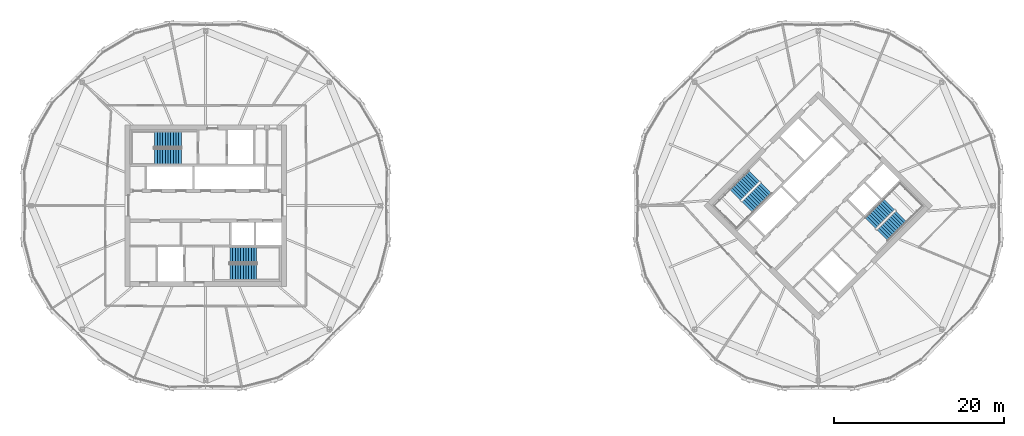
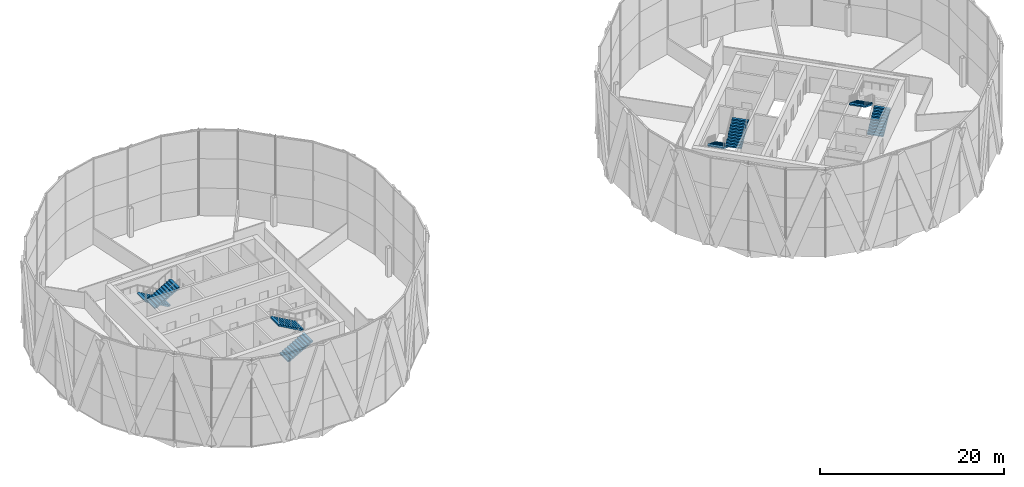
# One storey, part 23 of 25: 8 stair flights, 4 elements without a shape of their own.
"""IFC4 building model written with IfcOpenShell, lengths in metres."""

from ifc_helpers import new_model, si_unit, direction, frame, origin, place, context, subcontext, project, spatial, polyline, outline, extrude, material, type_object, element, aggregate, save


model = new_model("IFC4")

# Units and contexts
model_context = context("Model", 3, precision=1e-05, world=origin(), true_north=direction((0.0, 1.0)))
body_context = subcontext(model_context, "Body", "Model", "MODEL_VIEW")
ifc_project = project(units=[si_unit("LENGTHUNIT", "METRE"), si_unit("AREAUNIT", "SQUARE_METRE"), si_unit("VOLUMEUNIT", "CUBIC_METRE"), si_unit("PLANEANGLEUNIT", "RADIAN"), si_unit("MASSUNIT", "GRAM", prefix="KILO")], contexts=[model_context])

# Site, building, storey
site_placement = place(None, origin())
site = spatial("IfcSite", under=ifc_project, at=site_placement, CompositionType="ELEMENT")
building_placement = place(site_placement, origin())
building = spatial("IfcBuilding", under=site, at=building_placement, Name="Ogive Gate Towers", CompositionType="ELEMENT")
storey_placement = place(building_placement, frame((0.0, 0.0, 196.800048828125)))
storey = spatial("IfcBuildingStorey", under=building, at=storey_placement, Name="L47", CompositionType="ELEMENT", Elevation=196.800048828125)

# Stair, stair flights
ifc_material = material(Name="Concrete C40/50", Category="concrete")
stair_type = type_object("IfcStairType", Name="Escape stair 1840 wide", PredefinedType="HALF_TURN_STAIR", material=ifc_material)
stair_1_placement = place(storey_placement, origin())
stair_1 = element("IfcStair", 1, at=stair_1_placement, inside=storey, type_object=stair_type, Name="L47 Escape stair 1", PredefinedType="HALF_TURN_STAIR")
stair_flight_type = type_object("IfcStairFlightType", Name="Stair flight 1840 wide", PredefinedType="STRAIGHT", material=ifc_material)
stair_flight_1_placement = place(storey_placement, frame((-38.864990234375, 7.780029296875, 0.0), z_axis=(0.0, 0.0, 1.0), x_axis=(-1.0, 0.0, 0.0)))
stair_flight_1 = element("IfcStairFlight", 2, at=stair_flight_1_placement, type_object=stair_flight_type, Name="ST1 flight 1", NumberOfRisers=11, NumberOfTreads=10, PredefinedType="STRAIGHT", RiserHeight=0.177272727, TreadLength=0.313636364, context=body_context, shape_type="SweptSolid", body=[
    extrude(outline(polyline([(0.0, 0.0), (0.0, 0.17724609375), (0.313720703125, 0.17724609375), (0.313720703125, 0.3544921875), (0.627197265625, 0.3544921875), (0.627197265625, 0.53173828125), (0.94091796875, 0.53173828125), (0.94091796875, 0.708984375), (1.254638671875, 0.708984375), (1.254638671875, 0.886474609375), (1.568115234375, 0.886474609375), (1.568115234375, 1.063720703125), (1.8818359375, 1.063720703125), (1.8818359375, 1.240966796875), (2.195556640625, 1.240966796875), (2.195556640625, 1.418212890625), (2.509033203125, 1.418212890625), (2.509033203125, 1.595458984375), (2.82275390625, 1.595458984375), (2.82275390625, 1.772705078125), (3.136474609375, 1.772705078125), (3.136474609375, 1.949951171875), (3.136474609375, 1.6005859375), (0.3046875, 0.0), (0.0, 0.0)])), frame((0.0, 0.919921875, 0.0), z_axis=(0.0, -1.0, 0.0), x_axis=(1.0, 0.0, 0.0)), (0.0, 0.0, 1.0), 1.840087890625),
])
stair_flight_2_placement = place(storey_placement, frame((-42.00146484375, 5.794921875, 1.949951171875), z_axis=(0.0, 0.0, 1.0), x_axis=(1.0, 0.0, 0.0)))
stair_flight_2 = element("IfcStairFlight", 3, at=stair_flight_2_placement, type_object=stair_flight_type, Name="ST1 flight 2", NumberOfRisers=11, NumberOfTreads=10, PredefinedType="STRAIGHT", RiserHeight=0.177272727, TreadLength=0.313636364, context=body_context, shape_type="SweptSolid", body=[
    extrude(outline(polyline([(0.0, 0.0), (0.0, 0.17724609375), (0.313720703125, 0.17724609375), (0.313720703125, 0.3544921875), (0.627197265625, 0.3544921875), (0.627197265625, 0.53173828125), (0.94091796875, 0.53173828125), (0.94091796875, 0.708984375), (1.254638671875, 0.708984375), (1.254638671875, 0.886474609375), (1.568115234375, 0.886474609375), (1.568115234375, 1.063720703125), (1.8818359375, 1.063720703125), (1.8818359375, 1.240966796875), (2.195556640625, 1.240966796875), (2.195556640625, 1.418212890625), (2.509033203125, 1.418212890625), (2.509033203125, 1.595458984375), (2.82275390625, 1.595458984375), (2.82275390625, 1.772705078125), (3.136474609375, 1.772705078125), (3.136474609375, 1.949951171875), (3.136474609375, 1.6005859375), (0.3046875, 0.0), (0.0, 0.0)])), frame((0.0, 0.919921875, 0.0), z_axis=(0.0, -1.0, 0.0), x_axis=(1.0, 0.0, 0.0)), (0.0, 0.0, 1.0), 1.840087890625),
])
aggregate(stair_1, [stair_flight_1, stair_flight_2])

stair_2_placement = place(storey_placement, origin())
stair_2 = element("IfcStair", 4, at=stair_2_placement, inside=storey, type_object=stair_type, Name="L47 Escape stair 2", PredefinedType="HALF_TURN_STAIR")
stair_flight_3_placement = place(storey_placement, frame((-33.135009765625, -7.780029296875, 0.0), z_axis=(0.0, 0.0, 1.0), x_axis=(1.0, 0.0, 0.0)))
stair_flight_3 = element("IfcStairFlight", 5, at=stair_flight_3_placement, type_object=stair_flight_type, Name="ST2 flight 1", NumberOfRisers=11, NumberOfTreads=10, PredefinedType="STRAIGHT", RiserHeight=0.177272727, TreadLength=0.313636364, context=body_context, shape_type="SweptSolid", body=[
    extrude(outline(polyline([(0.0, 0.0), (0.0, 0.17724609375), (0.313720703125, 0.17724609375), (0.313720703125, 0.3544921875), (0.627197265625, 0.3544921875), (0.627197265625, 0.53173828125), (0.94091796875, 0.53173828125), (0.94091796875, 0.708984375), (1.254638671875, 0.708984375), (1.254638671875, 0.886474609375), (1.568115234375, 0.886474609375), (1.568115234375, 1.063720703125), (1.8818359375, 1.063720703125), (1.8818359375, 1.240966796875), (2.195556640625, 1.240966796875), (2.195556640625, 1.418212890625), (2.509033203125, 1.418212890625), (2.509033203125, 1.595458984375), (2.82275390625, 1.595458984375), (2.82275390625, 1.772705078125), (3.136474609375, 1.772705078125), (3.136474609375, 1.949951171875), (3.136474609375, 1.6005859375), (0.3046875, 0.0), (0.0, 0.0)])), frame((0.0, 0.919921875, 0.0), z_axis=(0.0, -1.0, 0.0), x_axis=(1.0, 0.0, 0.0)), (0.0, 0.0, 1.0), 1.840087890625),
])
stair_flight_4_placement = place(storey_placement, frame((-29.99853515625, -5.794921875, 1.949951171875), z_axis=(0.0, 0.0, 1.0), x_axis=(-1.0, 0.0, 0.0)))
stair_flight_4 = element("IfcStairFlight", 6, at=stair_flight_4_placement, type_object=stair_flight_type, Name="ST2 flight 2", NumberOfRisers=11, NumberOfTreads=10, PredefinedType="STRAIGHT", RiserHeight=0.177272727, TreadLength=0.313636364, context=body_context, shape_type="SweptSolid", body=[
    extrude(outline(polyline([(0.0, 0.0), (0.0, 0.17724609375), (0.313720703125, 0.17724609375), (0.313720703125, 0.3544921875), (0.627197265625, 0.3544921875), (0.627197265625, 0.53173828125), (0.94091796875, 0.53173828125), (0.94091796875, 0.708984375), (1.254638671875, 0.708984375), (1.254638671875, 0.886474609375), (1.568115234375, 0.886474609375), (1.568115234375, 1.063720703125), (1.8818359375, 1.063720703125), (1.8818359375, 1.240966796875), (2.195556640625, 1.240966796875), (2.195556640625, 1.418212890625), (2.509033203125, 1.418212890625), (2.509033203125, 1.595458984375), (2.82275390625, 1.595458984375), (2.82275390625, 1.772705078125), (3.136474609375, 1.772705078125), (3.136474609375, 1.949951171875), (3.136474609375, 1.6005859375), (0.3046875, 0.0), (0.0, 0.0)])), frame((0.0, 0.919921875, 0.0), z_axis=(0.0, -1.0, 0.0), x_axis=(1.0, 0.0, 0.0)), (0.0, 0.0, 1.0), 1.840087890625),
])
aggregate(stair_2, [stair_flight_3, stair_flight_4])

stair_3_placement = place(storey_placement, origin())
stair_3 = element("IfcStair", 7, at=stair_3_placement, inside=storey, type_object=stair_type, Name="L47 Escape stair 1", PredefinedType="HALF_TURN_STAIR")
stair_flight_5_placement = place(storey_placement, frame((28.472900390625, 3.475341796875, 0.0), z_axis=(0.0, 0.0, 1.0), x_axis=(-0.707106781187, -0.707106781187, 0.0)))
stair_flight_5 = element("IfcStairFlight", 8, at=stair_flight_5_placement, type_object=stair_flight_type, Name="ST1 flight 1", NumberOfRisers=11, NumberOfTreads=10, PredefinedType="STRAIGHT", RiserHeight=0.177272727, TreadLength=0.313636364, context=body_context, shape_type="SweptSolid", body=[
    extrude(outline(polyline([(0.0, 0.0), (0.0, 0.17724609375), (0.313720703125, 0.17724609375), (0.313720703125, 0.3544921875), (0.627197265625, 0.3544921875), (0.627197265625, 0.53173828125), (0.94091796875, 0.53173828125), (0.94091796875, 0.708984375), (1.254638671875, 0.708984375), (1.254638671875, 0.886474609375), (1.568115234375, 0.886474609375), (1.568115234375, 1.063720703125), (1.8818359375, 1.063720703125), (1.8818359375, 1.240966796875), (2.195556640625, 1.240966796875), (2.195556640625, 1.418212890625), (2.509033203125, 1.418212890625), (2.509033203125, 1.595458984375), (2.82275390625, 1.595458984375), (2.82275390625, 1.772705078125), (3.136474609375, 1.772705078125), (3.136474609375, 1.949951171875), (3.136474609375, 1.6005859375), (0.3046875, 0.0), (0.0, 0.0)])), frame((0.0, 0.919921875, 0.0), z_axis=(0.0, -1.0, 0.0), x_axis=(1.0, 0.0, 0.0)), (0.0, 0.0, 1.0), 1.840087890625),
])
stair_flight_6_placement = place(storey_placement, frame((27.65869140625, -0.14599609375, 1.949951171875), z_axis=(0.0, 0.0, 1.0), x_axis=(0.707106781187, 0.707106781187, 0.0)))
stair_flight_6 = element("IfcStairFlight", 9, at=stair_flight_6_placement, type_object=stair_flight_type, Name="ST1 flight 2", NumberOfRisers=11, NumberOfTreads=10, PredefinedType="STRAIGHT", RiserHeight=0.177272727, TreadLength=0.313636364, context=body_context, shape_type="SweptSolid", body=[
    extrude(outline(polyline([(0.0, 0.0), (0.0, 0.17724609375), (0.313720703125, 0.17724609375), (0.313720703125, 0.3544921875), (0.627197265625, 0.3544921875), (0.627197265625, 0.53173828125), (0.94091796875, 0.53173828125), (0.94091796875, 0.708984375), (1.254638671875, 0.708984375), (1.254638671875, 0.886474609375), (1.568115234375, 0.886474609375), (1.568115234375, 1.063720703125), (1.8818359375, 1.063720703125), (1.8818359375, 1.240966796875), (2.195556640625, 1.240966796875), (2.195556640625, 1.418212890625), (2.509033203125, 1.418212890625), (2.509033203125, 1.595458984375), (2.82275390625, 1.595458984375), (2.82275390625, 1.772705078125), (3.136474609375, 1.772705078125), (3.136474609375, 1.949951171875), (3.136474609375, 1.6005859375), (0.3046875, 0.0), (0.0, 0.0)])), frame((0.0, 0.919921875, 0.0), z_axis=(0.0, -1.0, 0.0), x_axis=(1.0, 0.0, 0.0)), (0.0, 0.0, 1.0), 1.840087890625),
])
aggregate(stair_3, [stair_flight_5, stair_flight_6])

stair_4_placement = place(storey_placement, origin())
stair_4 = element("IfcStair", 10, at=stair_4_placement, inside=storey, type_object=stair_type, Name="L47 Escape stair 2", PredefinedType="HALF_TURN_STAIR")
stair_flight_7_placement = place(storey_placement, frame((43.527099609375, -3.475341796875, 0.0), z_axis=(0.0, 0.0, 1.0), x_axis=(0.707106781187, 0.707106781187, 0.0)))
stair_flight_7 = element("IfcStairFlight", 11, at=stair_flight_7_placement, type_object=stair_flight_type, Name="ST2 flight 1", NumberOfRisers=11, NumberOfTreads=10, PredefinedType="STRAIGHT", RiserHeight=0.177272727, TreadLength=0.313636364, context=body_context, shape_type="SweptSolid", body=[
    extrude(outline(polyline([(0.0, 0.0), (0.0, 0.17724609375), (0.313720703125, 0.17724609375), (0.313720703125, 0.3544921875), (0.627197265625, 0.3544921875), (0.627197265625, 0.53173828125), (0.94091796875, 0.53173828125), (0.94091796875, 0.708984375), (1.254638671875, 0.708984375), (1.254638671875, 0.886474609375), (1.568115234375, 0.886474609375), (1.568115234375, 1.063720703125), (1.8818359375, 1.063720703125), (1.8818359375, 1.240966796875), (2.195556640625, 1.240966796875), (2.195556640625, 1.418212890625), (2.509033203125, 1.418212890625), (2.509033203125, 1.595458984375), (2.82275390625, 1.595458984375), (2.82275390625, 1.772705078125), (3.136474609375, 1.772705078125), (3.136474609375, 1.949951171875), (3.136474609375, 1.6005859375), (0.3046875, 0.0), (0.0, 0.0)])), frame((0.0, 0.919921875, 0.0), z_axis=(0.0, -1.0, 0.0), x_axis=(1.0, 0.0, 0.0)), (0.0, 0.0, 1.0), 1.840087890625),
])
stair_flight_8_placement = place(storey_placement, frame((44.34130859375, 0.14599609375, 1.949951171875), z_axis=(0.0, 0.0, 1.0), x_axis=(-0.707106781187, -0.707106781187, 0.0)))
stair_flight_8 = element("IfcStairFlight", 12, at=stair_flight_8_placement, type_object=stair_flight_type, Name="ST2 flight 2", NumberOfRisers=11, NumberOfTreads=10, PredefinedType="STRAIGHT", RiserHeight=0.177272727, TreadLength=0.313636364, context=body_context, shape_type="SweptSolid", body=[
    extrude(outline(polyline([(0.0, 0.0), (0.0, 0.17724609375), (0.313720703125, 0.17724609375), (0.313720703125, 0.3544921875), (0.627197265625, 0.3544921875), (0.627197265625, 0.53173828125), (0.94091796875, 0.53173828125), (0.94091796875, 0.708984375), (1.254638671875, 0.708984375), (1.254638671875, 0.886474609375), (1.568115234375, 0.886474609375), (1.568115234375, 1.063720703125), (1.8818359375, 1.063720703125), (1.8818359375, 1.240966796875), (2.195556640625, 1.240966796875), (2.195556640625, 1.418212890625), (2.509033203125, 1.418212890625), (2.509033203125, 1.595458984375), (2.82275390625, 1.595458984375), (2.82275390625, 1.772705078125), (3.136474609375, 1.772705078125), (3.136474609375, 1.949951171875), (3.136474609375, 1.6005859375), (0.3046875, 0.0), (0.0, 0.0)])), frame((0.0, 0.919921875, 0.0), z_axis=(0.0, -1.0, 0.0), x_axis=(1.0, 0.0, 0.0)), (0.0, 0.0, 1.0), 1.840087890625),
])
aggregate(stair_4, [stair_flight_7, stair_flight_8])

save(model, "model.ifc")
